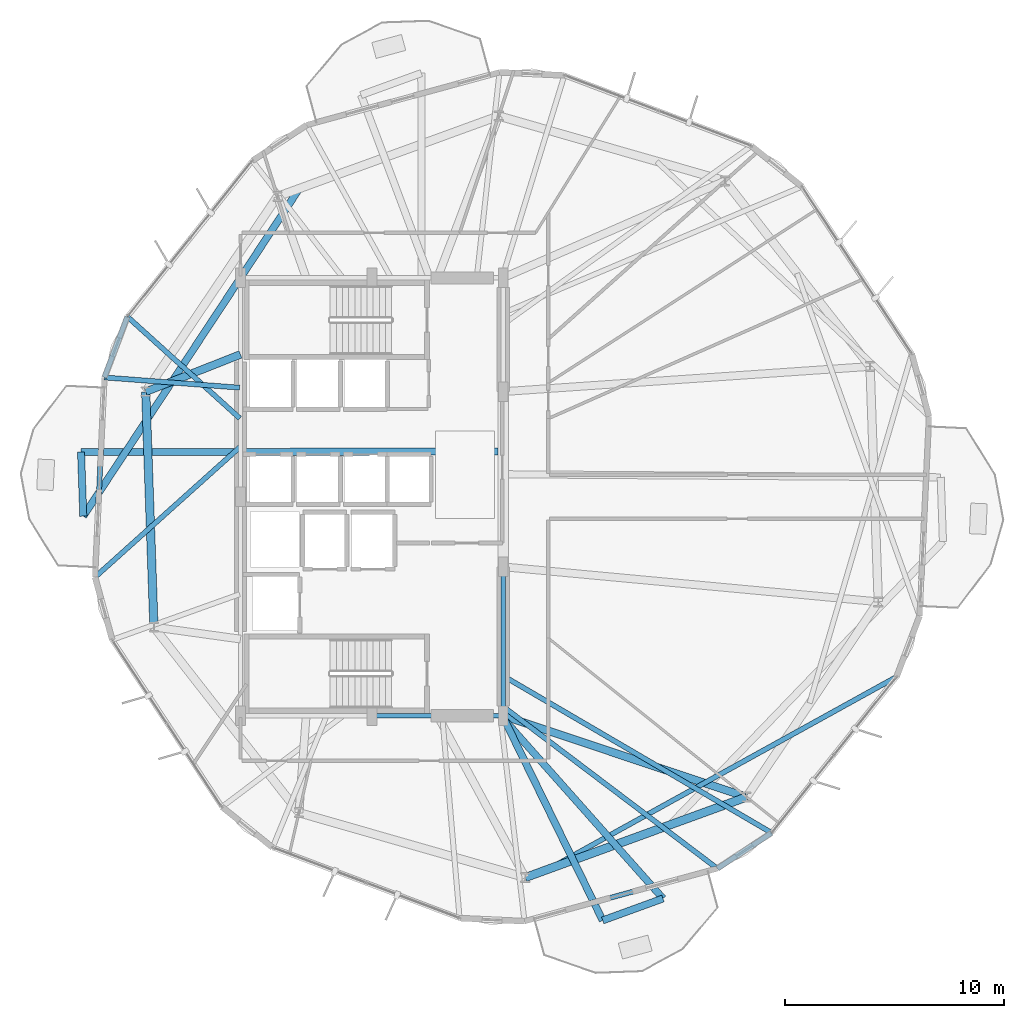
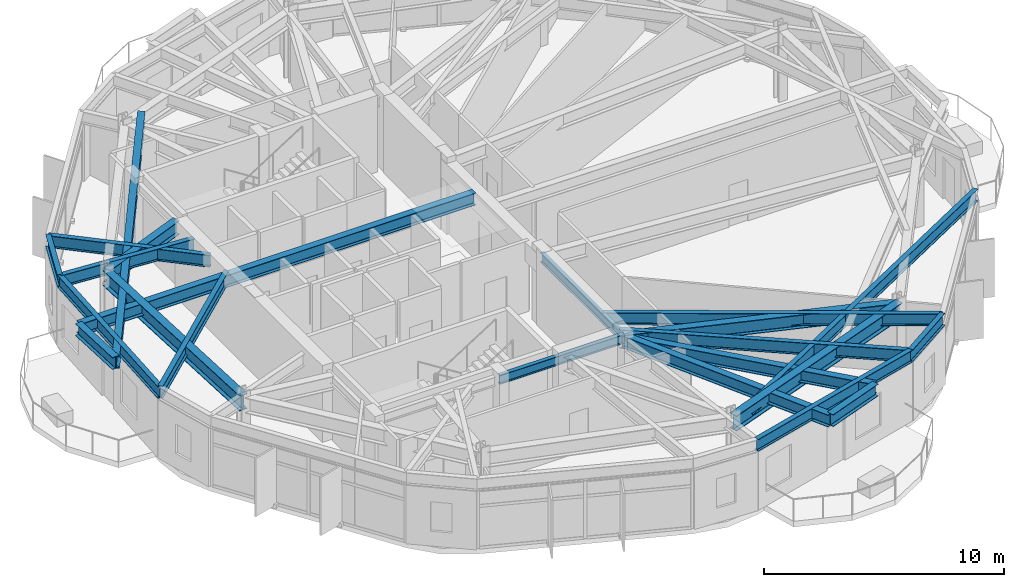
# One storey, part 5 of 25: 22 beams.
"""IFC4 building model written with IfcOpenShell, lengths in metres."""

from ifc_helpers import new_model, si_unit, direction, frame, origin, origin_2d, place, context, subcontext, project, spatial, i_section, extrude, material, material_profile, profile_set, type_object, element, save


model = new_model("IFC4")

# Units and contexts
model_context = context("Model", 3, precision=1e-05, world=origin(), true_north=direction((0.0, 1.0)))
body_context = subcontext(model_context, "Body", "Model", "MODEL_VIEW")
ifc_project = project(units=[si_unit("LENGTHUNIT", "METRE"), si_unit("AREAUNIT", "SQUARE_METRE"), si_unit("VOLUMEUNIT", "CUBIC_METRE"), si_unit("PLANEANGLEUNIT", "RADIAN"), si_unit("MASSUNIT", "GRAM", prefix="KILO")], contexts=[model_context])

# Site, building, storey
site_placement = place(None, origin())
site = spatial("IfcSite", under=ifc_project, at=site_placement, CompositionType="ELEMENT")
building_placement = place(site_placement, origin())
building = spatial("IfcBuilding", under=site, at=building_placement, Name="Soratama Intermodal Tower", CompositionType="ELEMENT")
storey_placement = place(building_placement, frame((0.0, 0.0, 87.39990234375)))
storey = spatial("IfcBuildingStorey", under=building, at=storey_placement, Name="L20", CompositionType="ELEMENT", Elevation=87.39990234375)

# Beams
ifc_material_1 = material(Name="Structural steel ASTM A992 Grade 50", Category="steel")
ifc_material_profile_1 = material_profile(ifc_material_1, i_section(OverallWidth=0.324951171875, OverallDepth=0.615966796875, WebThickness=0.013916015625, FlangeThickness=0.021484375, FilletRadius=0.013916015625, at=origin_2d()), Name="W24X117")
ifc_profile_set_1 = profile_set([ifc_material_profile_1], Name="Structural steel ASTM A992 Grade 50")
beam_type_1 = type_object("IfcBeamType", Name="BM-CANT-W24X117", PredefinedType="BEAM", material=ifc_profile_set_1)
beam_1_placement = place(storey_placement, frame((25.321044921875, 27.0390625, 3.2919921875), z_axis=(0.034522588399, -0.999403917788, 0.0), x_axis=(0.999403917788, 0.034522588399, 0.0)))
element("IfcBeam", 1, at=beam_1_placement, inside=storey, type_object=beam_type_1, Name="BM-L20-CBHDR-3", PredefinedType="BEAM", context=body_context, shape_type="SweptSolid", body=[
    extrude(i_section(OverallWidth=0.324951171875, OverallDepth=0.615966796875, WebThickness=0.013916015625, FlangeThickness=0.021484375, FilletRadius=0.013916015625, at=origin_2d()), origin(), (0.0, 0.0, 1.0), 2.927734375),
])
beam_2_placement = place(storey_placement, frame((49.14208984375, 5.654052734375, 3.2919921875), z_axis=(0.939764209582, 0.341823390639, 0.0), x_axis=(-0.341823390639, 0.939764209582, 0.0)))
element("IfcBeam", 2, at=beam_2_placement, inside=storey, type_object=beam_type_1, Name="BM-L20-CBHDR-4", PredefinedType="BEAM", context=body_context, shape_type="SweptSolid", body=[
    extrude(i_section(OverallWidth=0.324951171875, OverallDepth=0.615966796875, WebThickness=0.013916015625, FlangeThickness=0.021484375, FilletRadius=0.013916015625, at=origin_2d()), origin(), (0.0, 0.0, 1.0), 2.92822265625),
])
beam_3_placement = place(storey_placement, frame((44.364990234375, 27.06689453125, 3.2919921875), z_axis=(-0.999998932064, -0.001461461954, 0.0), x_axis=(0.001461461954, -0.999998932064, 0.0)))
element("IfcBeam", 3, at=beam_3_placement, inside=storey, type_object=beam_type_1, Name="BM-L20-CANT-3-1", PredefinedType="BEAM", context=body_context, shape_type="SweptSolid", body=[
    extrude(i_section(OverallWidth=0.324951171875, OverallDepth=0.615966796875, WebThickness=0.013916015625, FlangeThickness=0.021484375, FilletRadius=0.013916015625, at=origin_2d()), origin(), (0.0, 0.0, 1.0), 19.0439453125),
])
beam_4_placement = place(storey_placement, frame((35.26904296875, 39.04296875, 3.2919921875), z_axis=(-0.550576125536, -0.834784960328, 0.0), x_axis=(0.834784960328, -0.550576125536, 0.0)))
element("IfcBeam", 4, at=beam_4_placement, inside=storey, type_object=beam_type_1, Name="BM-L20-CANT-3-2", PredefinedType="BEAM", context=body_context, shape_type="SweptSolid", body=[
    extrude(i_section(OverallWidth=0.324951171875, OverallDepth=0.615966796875, WebThickness=0.013916015625, FlangeThickness=0.021484375, FilletRadius=0.013916015625, at=origin_2d()), origin(), (0.0, 0.0, 1.0), 17.884765625),
])
beam_5_placement = place(storey_placement, frame((44.583984375, 14.964111328125, 3.2919921875), z_axis=(0.439717807326, -0.898135986319, 0.0), x_axis=(0.898135986319, 0.439717807326, 0.0)))
element("IfcBeam", 5, at=beam_5_placement, inside=storey, type_object=beam_type_1, Name="BM-L20-CANT-4-1", PredefinedType="BEAM", context=body_context, shape_type="SweptSolid", body=[
    extrude(i_section(OverallWidth=0.324951171875, OverallDepth=0.615966796875, WebThickness=0.013916015625, FlangeThickness=0.021484375, FilletRadius=0.013916015625, at=origin_2d()), origin(), (0.0, 0.0, 1.0), 10.365966796875),
])
beam_6_placement = place(storey_placement, frame((44.511962890625, 14.969970703125, 3.2919921875), z_axis=(0.663912615855, -0.747810162079, 0.0), x_axis=(0.747810162079, 0.663912615855, 0.0)))
element("IfcBeam", 6, at=beam_6_placement, inside=storey, type_object=beam_type_1, Name="BM-L20-CANT-4-2", PredefinedType="BEAM", context=body_context, shape_type="SweptSolid", body=[
    extrude(i_section(OverallWidth=0.324951171875, OverallDepth=0.615966796875, WebThickness=0.013916015625, FlangeThickness=0.021484375, FilletRadius=0.013916015625, at=origin_2d()), origin(), (0.0, 0.0, 1.0), 11.119140625),
])
ifc_material_2 = material(Name="Structural steel ASTM A992 Grade 50", Category="steel")
ifc_material_profile_2 = material_profile(ifc_material_2, i_section(OverallWidth=0.19091796875, OverallDepth=0.4599609375, WebThickness=0.010009765625, FlangeThickness=0.01611328125, FilletRadius=0.010986328125, at=origin_2d()), Name="W18X55")
ifc_profile_set_2 = profile_set([ifc_material_profile_2], Name="Structural steel ASTM A992 Grade 50")
beam_type_2 = type_object("IfcBeamType", Name="BM-FLR-W18X55", PredefinedType="BEAM", material=ifc_profile_set_2)
beam_7_placement = place(storey_placement, frame((38.60009765625, 15.0, 3.3701171875), z_axis=(1.0, 0.0, 0.0), x_axis=(0.0, 1.0, 0.0)))
element("IfcBeam", 7, at=beam_7_placement, inside=storey, type_object=beam_type_2, Name="BM-L20-CRING-02", PredefinedType="BEAM", context=body_context, shape_type="SweptSolid", body=[
    extrude(i_section(OverallWidth=0.19091796875, OverallDepth=0.4599609375, WebThickness=0.010009765625, FlangeThickness=0.01611328125, FilletRadius=0.010986328125, at=origin_2d()), origin(), (0.0, 0.0, 1.0), 6.0),
])
beam_8_placement = place(storey_placement, frame((44.60009765625, 15.0, 3.3701171875), z_axis=(0.0, 1.0, 0.0), x_axis=(-1.0, 0.0, 0.0)))
element("IfcBeam", 8, at=beam_8_placement, inside=storey, type_object=beam_type_2, Name="BM-L20-CRING-03", PredefinedType="BEAM", context=body_context, shape_type="SweptSolid", body=[
    extrude(i_section(OverallWidth=0.19091796875, OverallDepth=0.4599609375, WebThickness=0.010009765625, FlangeThickness=0.01611328125, FilletRadius=0.010986328125, at=origin_2d()), origin(), (0.0, 0.0, 1.0), 6.800048828125),
])
ifc_material_3 = material(Name="Structural steel ASTM A992 Grade 50", Category="steel")
ifc_material_profile_3 = material_profile(ifc_material_3, i_section(OverallWidth=0.35498046875, OverallDepth=0.695068359375, WebThickness=0.015380859375, FlangeThickness=0.02490234375, FilletRadius=0.01611328125, at=origin_2d()), Name="W27X146")
ifc_profile_set_3 = profile_set([ifc_material_profile_3], Name="Structural steel ASTM A992 Grade 50")
beam_type_3 = type_object("IfcBeamType", Name="BM-RING-W27X146", PredefinedType="BEAM", material=ifc_profile_set_3)
beam_9_placement = place(storey_placement, frame((32.60009765625, 31.5, 3.252685546875), z_axis=(-0.930419244357, -0.366496970971, 0.0), x_axis=(0.366496970971, -0.930419244357, 0.0)))
element("IfcBeam", 9, at=beam_9_placement, inside=storey, type_object=beam_type_3, Name="BM-L20-RAD-05", PredefinedType="BEAM", context=body_context, shape_type="SweptSolid", body=[
    extrude(i_section(OverallWidth=0.35498046875, OverallDepth=0.695068359375, WebThickness=0.015380859375, FlangeThickness=0.02490234375, FilletRadius=0.01611328125, at=origin_2d()), origin(), (0.0, 0.0, 1.0), 4.649658203125),
])
beam_10_placement = place(storey_placement, frame((44.60009765625, 15.0, 3.252685546875), z_axis=(0.948503923169, -0.316765382787, 0.0), x_axis=(0.316765382787, 0.948503923169, 0.0)))
element("IfcBeam", 10, at=beam_10_placement, inside=storey, type_object=beam_type_3, Name="BM-L20-RAD-09", PredefinedType="BEAM", context=body_context, shape_type="SweptSolid", body=[
    extrude(i_section(OverallWidth=0.35498046875, OverallDepth=0.695068359375, WebThickness=0.015380859375, FlangeThickness=0.02490234375, FilletRadius=0.01611328125, at=origin_2d()), origin(), (0.0, 0.0, 1.0), 11.715087890625),
])
ifc_material_4 = material(Name="Structural steel ASTM A992 Grade 50", Category="steel")
ifc_material_profile_4 = material_profile(ifc_material_4, i_section(OverallWidth=0.382080078125, OverallDepth=0.779052734375, WebThickness=0.01806640625, FlangeThickness=0.030029296875, FilletRadius=0.01806640625, at=origin_2d()), Name="W30X191")
ifc_profile_set_4 = profile_set([ifc_material_profile_4], Name="Structural steel ASTM A992 Grade 50")
beam_type_4 = type_object("IfcBeamType", Name="BM-RING-W30X191", PredefinedType="BEAM", material=ifc_profile_set_4)
for number, where, z_axis, x_axis, name in (
    (11, (28.27392578125, 29.7958984375, 3.210693359375), (0.034872799059, -0.999391758964, 0.0), (0.999391758964, 0.034872799059, 0.0), "BM-L20-RING-05"),
    (12, (45.60693359375, 7.611083984375, 3.210693359375), (0.939690636038, 0.342025596326, 0.0), (-0.342025596326, 0.939690636038, 0.0), "BM-L20-RING-08"),
):
    element("IfcBeam", number, at=place(storey_placement, frame(where, z_axis=z_axis, x_axis=x_axis)), inside=storey, type_object=beam_type_4, Name=name, PredefinedType="BEAM", context=body_context, shape_type="SweptSolid", body=[
        extrude(i_section(OverallWidth=0.382080078125, OverallDepth=0.779052734375, WebThickness=0.01806640625, FlangeThickness=0.030029296875, FilletRadius=0.01806640625, at=origin_2d()), origin(), (0.0, 0.0, 1.0), 10.75341796875),
    ])
ifc_material_5 = material(Name="Structural steel ASTM A992 Grade 50", Category="steel")
ifc_material_profile_5 = material_profile(ifc_material_5, i_section(OverallWidth=0.22900390625, OverallDepth=0.612060546875, WebThickness=0.011962890625, FlangeThickness=0.01953125, FilletRadius=0.012939453125, at=origin_2d()), Name="W24X84")
ifc_profile_set_5 = profile_set([ifc_material_profile_5], Name="Structural steel ASTM A992 Grade 50")
beam_type_5 = type_object("IfcBeamType", Name="BM-SPN-W24X84", PredefinedType="SPANDREL", material=ifc_profile_set_5)
beam_11_placement = place(storey_placement, frame((27.43603515625, 33.222900390625, 3.294189453125), z_axis=(-0.353629417265, -0.935385607781, 0.0), x_axis=(0.935385607781, -0.353629417265, 0.0)))
element("IfcBeam", 13, at=beam_11_placement, inside=storey, type_object=beam_type_5, Name="BS-L20-CRN04", PredefinedType="SPANDREL", context=body_context, shape_type="SweptSolid", body=[
    extrude(i_section(OverallWidth=0.22900390625, OverallDepth=0.612060546875, WebThickness=0.011962890625, FlangeThickness=0.01953125, FilletRadius=0.012939453125, at=origin_2d()), origin(), (0.0, 0.0, 1.0), 2.966552734375),
])
beam_12_placement = place(storey_placement, frame((26.386962890625, 30.447998046875, 3.294189453125), z_axis=(-0.047088728485, -0.998890710563, 0.0), x_axis=(0.998890710563, -0.047088728485, 0.0)))
element("IfcBeam", 14, at=beam_12_placement, inside=storey, type_object=beam_type_5, Name="BS-L20-F05", PredefinedType="SPANDREL", context=body_context, shape_type="SweptSolid", body=[
    extrude(i_section(OverallWidth=0.22900390625, OverallDepth=0.612060546875, WebThickness=0.011962890625, FlangeThickness=0.01953125, FilletRadius=0.012939453125, at=origin_2d()), origin(), (0.0, 0.0, 1.0), 9.130126953125),
])
beam_13_placement = place(storey_placement, frame((45.571044921875, 5.614990234375, 3.294189453125), z_axis=(0.964559881077, 0.26386404798, 0.0), x_axis=(-0.26386404798, 0.964559881077, 0.0)))
element("IfcBeam", 15, at=beam_13_placement, inside=storey, type_object=beam_type_5, Name="BS-L20-F08", PredefinedType="SPANDREL", context=body_context, shape_type="SweptSolid", body=[
    extrude(i_section(OverallWidth=0.22900390625, OverallDepth=0.612060546875, WebThickness=0.011962890625, FlangeThickness=0.01953125, FilletRadius=0.012939453125, at=origin_2d()), origin(), (0.0, 0.0, 1.0), 9.12939453125),
])
beam_14_placement = place(storey_placement, frame((54.376953125, 8.02392578125, 3.294189453125), z_axis=(0.835842538458, 0.548969262259, 0.0), x_axis=(-0.548969262259, 0.835842538458, 0.0)))
element("IfcBeam", 16, at=beam_14_placement, inside=storey, type_object=beam_type_5, Name="BS-L20-CRN08", PredefinedType="SPANDREL", context=body_context, shape_type="SweptSolid", body=[
    extrude(i_section(OverallWidth=0.22900390625, OverallDepth=0.612060546875, WebThickness=0.011962890625, FlangeThickness=0.01953125, FilletRadius=0.012939453125, at=origin_2d()), origin(), (0.0, 0.0, 1.0), 2.9658203125),
])
ifc_material_6 = material(Name="Structural steel ASTM A992 Grade 50", Category="steel")
ifc_material_profile_6 = material_profile(ifc_material_6, i_section(OverallWidth=0.22900390625, OverallDepth=0.612060546875, WebThickness=0.011962890625, FlangeThickness=0.01953125, FilletRadius=0.012939453125, at=origin_2d()), Name="W24X84")
ifc_profile_set_6 = profile_set([ifc_material_profile_6], Name="Structural steel ASTM A992 Grade 50")
beam_type_6 = type_object("IfcBeamType", Name="BM-TIE-W24X84", PredefinedType="BEAM", material=ifc_profile_set_6)
beam_15_placement = place(storey_placement, frame((32.570068359375, 28.5849609375, 3.294189453125), z_axis=(-0.742048850543, 0.670345808824, 0.0), x_axis=(-0.670345808824, -0.742048850543, 0.0)))
element("IfcBeam", 17, at=beam_15_placement, inside=storey, type_object=beam_type_6, Name="BM-L20-TIE1-04", PredefinedType="BEAM", context=body_context, shape_type="SweptSolid", body=[
    extrude(i_section(OverallWidth=0.22900390625, OverallDepth=0.612060546875, WebThickness=0.011962890625, FlangeThickness=0.01953125, FilletRadius=0.012939453125, at=origin_2d()), origin(), (0.0, 0.0, 1.0), 6.918701171875),
])
beam_16_placement = place(storey_placement, frame((32.56005859375, 29.98193359375, 3.294189453125), z_axis=(-0.997162054036, 0.075285044934, 0.0), x_axis=(-0.075285044934, -0.997162054036, 0.0)))
element("IfcBeam", 18, at=beam_16_placement, inside=storey, type_object=beam_type_6, Name="BM-L20-TIE0-05", PredefinedType="BEAM", context=body_context, shape_type="SweptSolid", body=[
    extrude(i_section(OverallWidth=0.22900390625, OverallDepth=0.612060546875, WebThickness=0.011962890625, FlangeThickness=0.01953125, FilletRadius=0.012939453125, at=origin_2d()), origin(), (0.0, 0.0, 1.0), 6.190673828125),
])
beam_17_placement = place(storey_placement, frame((32.570068359375, 27.264892578125, 3.294189453125), z_axis=(-0.744117268879, -0.66804901778, 0.0), x_axis=(0.66804901778, -0.744117268879, 0.0)))
element("IfcBeam", 19, at=beam_17_placement, inside=storey, type_object=beam_type_6, Name="BM-L20-TIE1-05", PredefinedType="BEAM", context=body_context, shape_type="SweptSolid", body=[
    extrude(i_section(OverallWidth=0.22900390625, OverallDepth=0.612060546875, WebThickness=0.011962890625, FlangeThickness=0.01953125, FilletRadius=0.012939453125, at=origin_2d()), origin(), (0.0, 0.0, 1.0), 8.88720703125),
])
beam_18_placement = place(storey_placement, frame((44.632080078125, 15.389892578125, 3.294189453125), z_axis=(0.797742339123, -0.602998474601, 0.0), x_axis=(0.602998474601, 0.797742339123, 0.0)))
element("IfcBeam", 20, at=beam_18_placement, inside=storey, type_object=beam_type_6, Name="BM-L20-TIE1-08", PredefinedType="BEAM", context=body_context, shape_type="SweptSolid", body=[
    extrude(i_section(OverallWidth=0.22900390625, OverallDepth=0.612060546875, WebThickness=0.011962890625, FlangeThickness=0.01953125, FilletRadius=0.012939453125, at=origin_2d()), origin(), (0.0, 0.0, 1.0), 12.215576171875),
])
beam_19_placement = place(storey_placement, frame((44.635009765625, 16.798095703125, 3.294189453125), z_axis=(0.863252401169, -0.504772514977, 0.0), x_axis=(0.504772514977, 0.863252401169, 0.0)))
element("IfcBeam", 21, at=beam_19_placement, inside=storey, type_object=beam_type_6, Name="BM-L20-TIE0-09", PredefinedType="BEAM", context=body_context, shape_type="SweptSolid", body=[
    extrude(i_section(OverallWidth=0.22900390625, OverallDepth=0.612060546875, WebThickness=0.011962890625, FlangeThickness=0.01953125, FilletRadius=0.012939453125, at=origin_2d()), origin(), (0.0, 0.0, 1.0), 14.156982421875),
])
beam_20_placement = place(storey_placement, frame((46.699951171875, 8.014892578125, 3.294189453125), z_axis=(0.875352420282, 0.483485408577, 0.0), x_axis=(-0.483485408577, 0.875352420282, 0.0)))
element("IfcBeam", 22, at=beam_20_placement, inside=storey, type_object=beam_type_6, Name="BM-L20-TIE1-09", PredefinedType="BEAM", context=body_context, shape_type="SweptSolid", body=[
    extrude(i_section(OverallWidth=0.22900390625, OverallDepth=0.612060546875, WebThickness=0.011962890625, FlangeThickness=0.01953125, FilletRadius=0.012939453125, at=origin_2d()), origin(), (0.0, 0.0, 1.0), 18.123046875),
])

save(model, "model.ifc")
